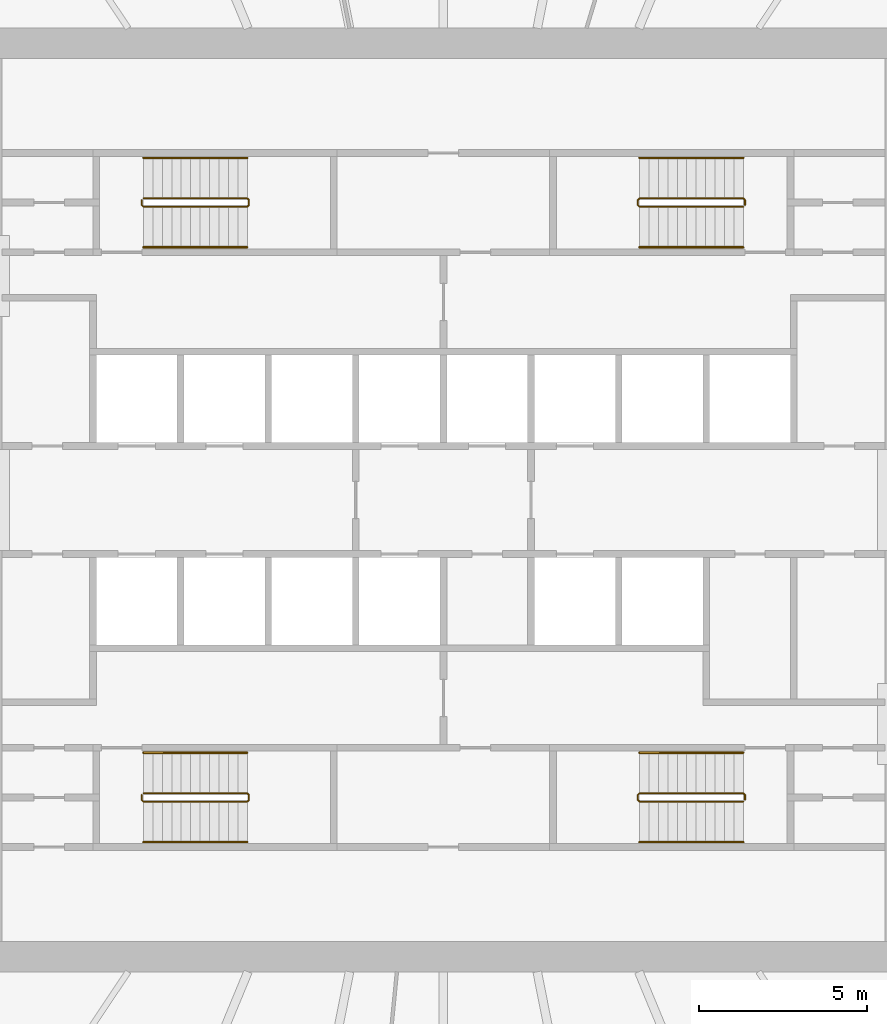
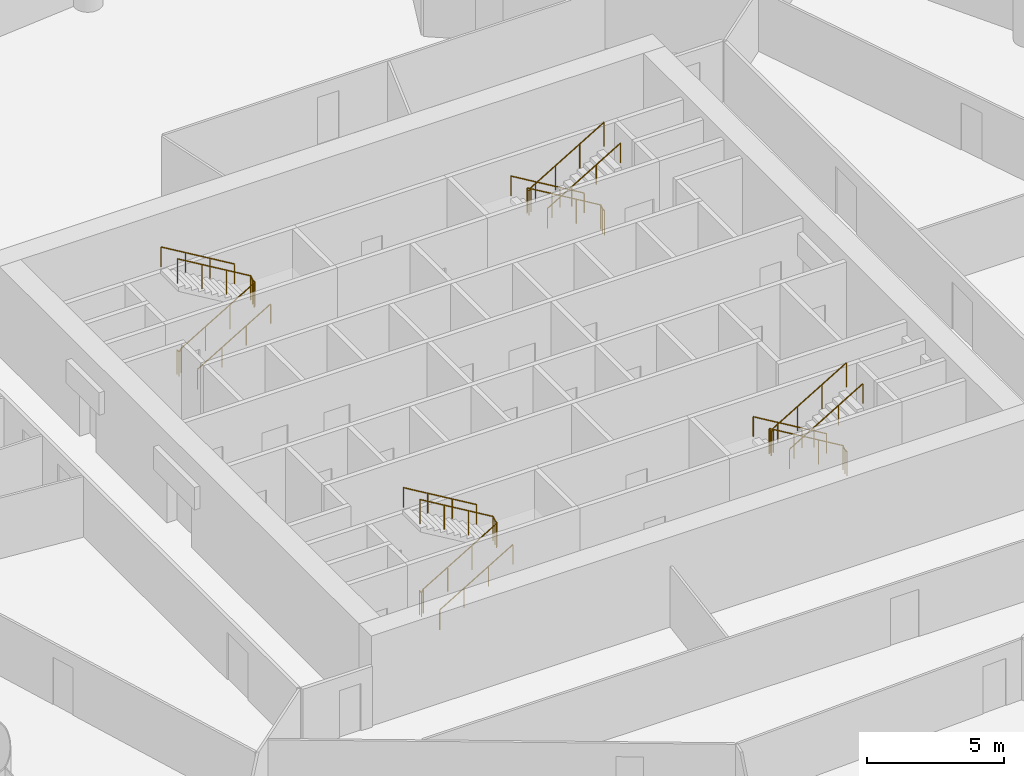
# One storey, part 9 of 9: 12 railings.
"""IFC4 building model written with IfcOpenShell, lengths in metres."""

from ifc_helpers import new_model, si_unit, direction, frame, origin, origin_2d, place, context, subcontext, project, spatial, circle, extrude, material, type_object, element, save


model = new_model("IFC4")

# Units and contexts
model_context = context("Model", 3, precision=1e-05, world=origin(), true_north=direction((0.0, 1.0)))
body_context = subcontext(model_context, "Body", "Model", "MODEL_VIEW")
ifc_project = project(units=[si_unit("LENGTHUNIT", "METRE"), si_unit("AREAUNIT", "SQUARE_METRE"), si_unit("VOLUMEUNIT", "CUBIC_METRE"), si_unit("PLANEANGLEUNIT", "RADIAN"), si_unit("MASSUNIT", "GRAM", prefix="KILO")], contexts=[model_context])

# Site, building, storey
site_placement = place(None, origin())
site = spatial("IfcSite", under=ifc_project, at=site_placement, CompositionType="ELEMENT")
building_placement = place(site_placement, origin())
building = spatial("IfcBuilding", under=site, at=building_placement, Name="Corvane Civic Tower", CompositionType="ELEMENT")
storey_placement = place(building_placement, frame((0.0, 0.0, 168.0)))
storey = spatial("IfcBuildingStorey", under=building, at=storey_placement, Name="L39", CompositionType="ELEMENT", Elevation=168.0)

# Railings
ifc_material_1 = material(Name="Steel ASTM A572 Gr 50", Category="steel")
railing_type_1 = type_object("IfcRailingType", Name="ST-GUARD-1100", PredefinedType="GUARDRAIL", material=ifc_material_1)
railing_1_placement = place(storey_placement, frame((8.949951171875, 8.75, 0.0)))
element("IfcRailing", 1, at=railing_1_placement, inside=storey, type_object=railing_type_1, Name="L39 ST1 stair guard 1", PredefinedType="GUARDRAIL", context=body_context, shape_type="SweptSolid", body=[
    extrude(circle(Radius=0.02392578125, at=origin_2d()), frame((0.0, 0.0, 1.076171875), z_axis=(0.0, 1.0, 0.0), x_axis=(-1.0, 0.0, 0.0)), (0.0, 0.0, 1.0), 0.14990234375),
    extrude(circle(Radius=0.02392578125, at=origin_2d()), frame((0.0, 0.14990234375, 1.076171875), z_axis=(-0.27628659633, 0.27628659633, 0.920506074601), x_axis=(-0.707106781187, -0.707106781187, 0.0)), (0.0, 0.0, 1.0), 0.18115234375),
    extrude(circle(Radius=0.02392578125, at=origin_2d()), frame((-0.050048828125, 0.199951171875, 1.24267578125), z_axis=(-0.859290745958, 0.0, 0.51148745235), x_axis=(0.0, -1.0, 0.0)), (0.0, 0.0, 1.0), 3.584228515625),
    extrude(circle(Radius=0.02392578125, at=origin_2d()), frame((-3.1298828125, 0.199951171875, 3.076171875), z_axis=(-0.707106781187, -0.707106781187, 0.0), x_axis=(0.707106781187, -0.707106781187, 0.0)), (0.0, 0.0, 1.0), 0.07080078125),
    extrude(circle(Radius=0.02392578125, at=origin_2d()), frame((-3.179931640625, 0.14990234375, 3.076171875), z_axis=(0.0, -1.0, 0.0), x_axis=(1.0, 0.0, 0.0)), (0.0, 0.0, 1.0), 0.14990234375),
    extrude(circle(Radius=0.02392578125, at=origin_2d()), frame((-3.179931640625, 0.0, 3.076171875), z_axis=(0.27628659633, -0.27628659633, 0.920506074601), x_axis=(0.707106781187, 0.707106781187, 0.0)), (0.0, 0.0, 1.0), 0.18115234375),
    extrude(circle(Radius=0.02392578125, at=origin_2d()), frame((-3.1298828125, -0.050048828125, 3.24267578125), z_axis=(0.859290745958, 0.0, 0.51148745235), x_axis=(0.0, 1.0, 0.0)), (0.0, 0.0, 1.0), 3.584228515625),
    extrude(circle(Radius=0.02099609375, at=origin_2d()), origin(), (0.0, 0.0, 1.0), 1.052001953125),
    extrude(circle(Radius=0.02099609375, at=origin_2d()), frame((0.0, 0.14990234375, 0.0)), (0.0, 0.0, 1.0), 1.052001953125),
    extrude(circle(Radius=0.02099609375, at=origin_2d()), frame((-0.050048828125, 0.199951171875, 0.166748046875)), (0.0, 0.0, 1.0), 1.052001953125),
    extrude(circle(Radius=0.02099609375, at=origin_2d()), frame((-1.07666015625, 0.199951171875, 0.77783203125)), (0.0, 0.0, 1.0), 1.052001953125),
    extrude(circle(Radius=0.02099609375, at=origin_2d()), frame((-2.103271484375, 0.199951171875, 1.388916015625)), (0.0, 0.0, 1.0), 1.052001953125),
    extrude(circle(Radius=0.02099609375, at=origin_2d()), frame((-3.1298828125, 0.199951171875, 2.0)), (0.0, 0.0, 1.0), 1.052001953125),
    extrude(circle(Radius=0.02099609375, at=origin_2d()), frame((-3.179931640625, 0.14990234375, 2.0)), (0.0, 0.0, 1.0), 1.052001953125),
    extrude(circle(Radius=0.02099609375, at=origin_2d()), frame((-3.179931640625, 0.0, 2.0)), (0.0, 0.0, 1.0), 1.052001953125),
    extrude(circle(Radius=0.02099609375, at=origin_2d()), frame((-3.1298828125, -0.050048828125, 2.166748046875)), (0.0, 0.0, 1.0), 1.052001953125),
    extrude(circle(Radius=0.02099609375, at=origin_2d()), frame((-2.103271484375, -0.050048828125, 2.77783203125)), (0.0, 0.0, 1.0), 1.052001953125),
    extrude(circle(Radius=0.02099609375, at=origin_2d()), frame((-1.07666015625, -0.050048828125, 3.388916015625)), (0.0, 0.0, 1.0), 1.052001953125),
    extrude(circle(Radius=0.02099609375, at=origin_2d()), frame((-0.050048828125, -0.050048828125, 4.0)), (0.0, 0.0, 1.0), 1.052001953125),
])
railing_2_placement = place(storey_placement, frame((8.949951171875, -8.89990234375, 0.0)))
element("IfcRailing", 2, at=railing_2_placement, inside=storey, type_object=railing_type_1, Name="L39 ST2 stair guard 1", PredefinedType="GUARDRAIL", context=body_context, shape_type="SweptSolid", body=[
    extrude(circle(Radius=0.02392578125, at=origin_2d()), frame((0.0, 0.0, 1.076171875), z_axis=(0.0, 1.0, 0.0), x_axis=(-1.0, 0.0, 0.0)), (0.0, 0.0, 1.0), 0.14990234375),
    extrude(circle(Radius=0.02392578125, at=origin_2d()), frame((0.0, 0.14990234375, 1.076171875), z_axis=(-0.27628659633, 0.27628659633, 0.920506074601), x_axis=(-0.707106781187, -0.707106781187, 0.0)), (0.0, 0.0, 1.0), 0.18115234375),
    extrude(circle(Radius=0.02392578125, at=origin_2d()), frame((-0.050048828125, 0.199951171875, 1.24267578125), z_axis=(-0.859290745958, 0.0, 0.51148745235), x_axis=(0.0, -1.0, 0.0)), (0.0, 0.0, 1.0), 3.584228515625),
    extrude(circle(Radius=0.02392578125, at=origin_2d()), frame((-3.1298828125, 0.199951171875, 3.076171875), z_axis=(-0.707106781187, -0.707106781187, 0.0), x_axis=(0.707106781187, -0.707106781187, 0.0)), (0.0, 0.0, 1.0), 0.07080078125),
    extrude(circle(Radius=0.02392578125, at=origin_2d()), frame((-3.179931640625, 0.14990234375, 3.076171875), z_axis=(0.0, -1.0, 0.0), x_axis=(1.0, 0.0, 0.0)), (0.0, 0.0, 1.0), 0.14990234375),
    extrude(circle(Radius=0.02392578125, at=origin_2d()), frame((-3.179931640625, 0.0, 3.076171875), z_axis=(0.27628659633, -0.27628659633, 0.920506074601), x_axis=(0.707106781187, 0.707106781187, 0.0)), (0.0, 0.0, 1.0), 0.18115234375),
    extrude(circle(Radius=0.02392578125, at=origin_2d()), frame((-3.1298828125, -0.050048828125, 3.24267578125), z_axis=(0.859290745958, 0.0, 0.51148745235), x_axis=(0.0, 1.0, 0.0)), (0.0, 0.0, 1.0), 3.584228515625),
    extrude(circle(Radius=0.02099609375, at=origin_2d()), origin(), (0.0, 0.0, 1.0), 1.052001953125),
    extrude(circle(Radius=0.02099609375, at=origin_2d()), frame((0.0, 0.14990234375, 0.0)), (0.0, 0.0, 1.0), 1.052001953125),
    extrude(circle(Radius=0.02099609375, at=origin_2d()), frame((-0.050048828125, 0.199951171875, 0.166748046875)), (0.0, 0.0, 1.0), 1.052001953125),
    extrude(circle(Radius=0.02099609375, at=origin_2d()), frame((-1.07666015625, 0.199951171875, 0.77783203125)), (0.0, 0.0, 1.0), 1.052001953125),
    extrude(circle(Radius=0.02099609375, at=origin_2d()), frame((-2.103271484375, 0.199951171875, 1.388916015625)), (0.0, 0.0, 1.0), 1.052001953125),
    extrude(circle(Radius=0.02099609375, at=origin_2d()), frame((-3.1298828125, 0.199951171875, 2.0)), (0.0, 0.0, 1.0), 1.052001953125),
    extrude(circle(Radius=0.02099609375, at=origin_2d()), frame((-3.179931640625, 0.14990234375, 2.0)), (0.0, 0.0, 1.0), 1.052001953125),
    extrude(circle(Radius=0.02099609375, at=origin_2d()), frame((-3.179931640625, 0.0, 2.0)), (0.0, 0.0, 1.0), 1.052001953125),
    extrude(circle(Radius=0.02099609375, at=origin_2d()), frame((-3.1298828125, -0.050048828125, 2.166748046875)), (0.0, 0.0, 1.0), 1.052001953125),
    extrude(circle(Radius=0.02099609375, at=origin_2d()), frame((-2.103271484375, -0.050048828125, 2.77783203125)), (0.0, 0.0, 1.0), 1.052001953125),
    extrude(circle(Radius=0.02099609375, at=origin_2d()), frame((-1.07666015625, -0.050048828125, 3.388916015625)), (0.0, 0.0, 1.0), 1.052001953125),
    extrude(circle(Radius=0.02099609375, at=origin_2d()), frame((-0.050048828125, -0.050048828125, 4.0)), (0.0, 0.0, 1.0), 1.052001953125),
])
railing_3_placement = place(storey_placement, frame((-8.949951171875, -8.75, 0.0)))
element("IfcRailing", 3, at=railing_3_placement, inside=storey, type_object=railing_type_1, Name="L39 ST3 stair guard 1", PredefinedType="GUARDRAIL", context=body_context, shape_type="SweptSolid", body=[
    extrude(circle(Radius=0.02392578125, at=origin_2d()), frame((0.0, 0.0, 1.076171875), z_axis=(0.0, -1.0, 0.0), x_axis=(1.0, 0.0, 0.0)), (0.0, 0.0, 1.0), 0.14990234375),
    extrude(circle(Radius=0.02392578125, at=origin_2d()), frame((0.0, -0.14990234375, 1.076171875), z_axis=(0.27628659633, -0.27628659633, 0.920506074601), x_axis=(0.707106781187, 0.707106781187, 0.0)), (0.0, 0.0, 1.0), 0.18115234375),
    extrude(circle(Radius=0.02392578125, at=origin_2d()), frame((0.050048828125, -0.199951171875, 1.24267578125), z_axis=(0.859290745958, 0.0, 0.51148745235), x_axis=(0.0, 1.0, 0.0)), (0.0, 0.0, 1.0), 3.584228515625),
    extrude(circle(Radius=0.02392578125, at=origin_2d()), frame((3.1298828125, -0.199951171875, 3.076171875), z_axis=(0.707106781187, 0.707106781187, 0.0), x_axis=(-0.707106781187, 0.707106781187, 0.0)), (0.0, 0.0, 1.0), 0.07080078125),
    extrude(circle(Radius=0.02392578125, at=origin_2d()), frame((3.179931640625, -0.14990234375, 3.076171875), z_axis=(0.0, 1.0, 0.0), x_axis=(-1.0, 0.0, 0.0)), (0.0, 0.0, 1.0), 0.14990234375),
    extrude(circle(Radius=0.02392578125, at=origin_2d()), frame((3.179931640625, 0.0, 3.076171875), z_axis=(-0.27628659633, 0.27628659633, 0.920506074601), x_axis=(-0.707106781187, -0.707106781187, 0.0)), (0.0, 0.0, 1.0), 0.18115234375),
    extrude(circle(Radius=0.02392578125, at=origin_2d()), frame((3.1298828125, 0.050048828125, 3.24267578125), z_axis=(-0.859290745958, 0.0, 0.51148745235), x_axis=(0.0, -1.0, 0.0)), (0.0, 0.0, 1.0), 3.584228515625),
    extrude(circle(Radius=0.02099609375, at=origin_2d()), origin(), (0.0, 0.0, 1.0), 1.052001953125),
    extrude(circle(Radius=0.02099609375, at=origin_2d()), frame((0.0, -0.14990234375, 0.0)), (0.0, 0.0, 1.0), 1.052001953125),
    extrude(circle(Radius=0.02099609375, at=origin_2d()), frame((0.050048828125, -0.199951171875, 0.166748046875)), (0.0, 0.0, 1.0), 1.052001953125),
    extrude(circle(Radius=0.02099609375, at=origin_2d()), frame((1.07666015625, -0.199951171875, 0.77783203125)), (0.0, 0.0, 1.0), 1.052001953125),
    extrude(circle(Radius=0.02099609375, at=origin_2d()), frame((2.103271484375, -0.199951171875, 1.388916015625)), (0.0, 0.0, 1.0), 1.052001953125),
    extrude(circle(Radius=0.02099609375, at=origin_2d()), frame((3.1298828125, -0.199951171875, 2.0)), (0.0, 0.0, 1.0), 1.052001953125),
    extrude(circle(Radius=0.02099609375, at=origin_2d()), frame((3.179931640625, -0.14990234375, 2.0)), (0.0, 0.0, 1.0), 1.052001953125),
    extrude(circle(Radius=0.02099609375, at=origin_2d()), frame((3.179931640625, 0.0, 2.0)), (0.0, 0.0, 1.0), 1.052001953125),
    extrude(circle(Radius=0.02099609375, at=origin_2d()), frame((3.1298828125, 0.050048828125, 2.166748046875)), (0.0, 0.0, 1.0), 1.052001953125),
    extrude(circle(Radius=0.02099609375, at=origin_2d()), frame((2.103271484375, 0.050048828125, 2.77783203125)), (0.0, 0.0, 1.0), 1.052001953125),
    extrude(circle(Radius=0.02099609375, at=origin_2d()), frame((1.07666015625, 0.050048828125, 3.388916015625)), (0.0, 0.0, 1.0), 1.052001953125),
    extrude(circle(Radius=0.02099609375, at=origin_2d()), frame((0.050048828125, 0.050048828125, 4.0)), (0.0, 0.0, 1.0), 1.052001953125),
])
railing_4_placement = place(storey_placement, frame((-8.949951171875, 8.89990234375, 0.0)))
element("IfcRailing", 4, at=railing_4_placement, inside=storey, type_object=railing_type_1, Name="L39 ST4 stair guard 1", PredefinedType="GUARDRAIL", context=body_context, shape_type="SweptSolid", body=[
    extrude(circle(Radius=0.02392578125, at=origin_2d()), frame((0.0, 0.0, 1.076171875), z_axis=(0.0, -1.0, 0.0), x_axis=(1.0, 0.0, 0.0)), (0.0, 0.0, 1.0), 0.14990234375),
    extrude(circle(Radius=0.02392578125, at=origin_2d()), frame((0.0, -0.14990234375, 1.076171875), z_axis=(0.27628659633, -0.27628659633, 0.920506074601), x_axis=(0.707106781187, 0.707106781187, 0.0)), (0.0, 0.0, 1.0), 0.18115234375),
    extrude(circle(Radius=0.02392578125, at=origin_2d()), frame((0.050048828125, -0.199951171875, 1.24267578125), z_axis=(0.859290745958, 0.0, 0.51148745235), x_axis=(0.0, 1.0, 0.0)), (0.0, 0.0, 1.0), 3.584228515625),
    extrude(circle(Radius=0.02392578125, at=origin_2d()), frame((3.1298828125, -0.199951171875, 3.076171875), z_axis=(0.707106781187, 0.707106781187, 0.0), x_axis=(-0.707106781187, 0.707106781187, 0.0)), (0.0, 0.0, 1.0), 0.07080078125),
    extrude(circle(Radius=0.02392578125, at=origin_2d()), frame((3.179931640625, -0.14990234375, 3.076171875), z_axis=(0.0, 1.0, 0.0), x_axis=(-1.0, 0.0, 0.0)), (0.0, 0.0, 1.0), 0.14990234375),
    extrude(circle(Radius=0.02392578125, at=origin_2d()), frame((3.179931640625, 0.0, 3.076171875), z_axis=(-0.27628659633, 0.27628659633, 0.920506074601), x_axis=(-0.707106781187, -0.707106781187, 0.0)), (0.0, 0.0, 1.0), 0.18115234375),
    extrude(circle(Radius=0.02392578125, at=origin_2d()), frame((3.1298828125, 0.050048828125, 3.24267578125), z_axis=(-0.859290745958, 0.0, 0.51148745235), x_axis=(0.0, -1.0, 0.0)), (0.0, 0.0, 1.0), 3.584228515625),
    extrude(circle(Radius=0.02099609375, at=origin_2d()), origin(), (0.0, 0.0, 1.0), 1.052001953125),
    extrude(circle(Radius=0.02099609375, at=origin_2d()), frame((0.0, -0.14990234375, 0.0)), (0.0, 0.0, 1.0), 1.052001953125),
    extrude(circle(Radius=0.02099609375, at=origin_2d()), frame((0.050048828125, -0.199951171875, 0.166748046875)), (0.0, 0.0, 1.0), 1.052001953125),
    extrude(circle(Radius=0.02099609375, at=origin_2d()), frame((1.07666015625, -0.199951171875, 0.77783203125)), (0.0, 0.0, 1.0), 1.052001953125),
    extrude(circle(Radius=0.02099609375, at=origin_2d()), frame((2.103271484375, -0.199951171875, 1.388916015625)), (0.0, 0.0, 1.0), 1.052001953125),
    extrude(circle(Radius=0.02099609375, at=origin_2d()), frame((3.1298828125, -0.199951171875, 2.0)), (0.0, 0.0, 1.0), 1.052001953125),
    extrude(circle(Radius=0.02099609375, at=origin_2d()), frame((3.179931640625, -0.14990234375, 2.0)), (0.0, 0.0, 1.0), 1.052001953125),
    extrude(circle(Radius=0.02099609375, at=origin_2d()), frame((3.179931640625, 0.0, 2.0)), (0.0, 0.0, 1.0), 1.052001953125),
    extrude(circle(Radius=0.02099609375, at=origin_2d()), frame((3.1298828125, 0.050048828125, 2.166748046875)), (0.0, 0.0, 1.0), 1.052001953125),
    extrude(circle(Radius=0.02099609375, at=origin_2d()), frame((2.103271484375, 0.050048828125, 2.77783203125)), (0.0, 0.0, 1.0), 1.052001953125),
    extrude(circle(Radius=0.02099609375, at=origin_2d()), frame((1.07666015625, 0.050048828125, 3.388916015625)), (0.0, 0.0, 1.0), 1.052001953125),
    extrude(circle(Radius=0.02099609375, at=origin_2d()), frame((0.050048828125, 0.050048828125, 4.0)), (0.0, 0.0, 1.0), 1.052001953125),
])
ifc_material_2 = material(Name="Steel ASTM A572 Gr 50", Category="steel")
railing_type_2 = type_object("IfcRailingType", Name="ST-HANDRAIL-900", PredefinedType="HANDRAIL", material=ifc_material_2)
railing_5_placement = place(storey_placement, frame((8.89990234375, 10.14990234375, 0.166748046875)))
element("IfcRailing", 5, at=railing_5_placement, inside=storey, type_object=railing_type_2, Name="L39 ST1 stair handrail 1", PredefinedType="HANDRAIL", context=body_context, shape_type="SweptSolid", body=[
    extrude(circle(Radius=0.02392578125, at=origin_2d()), frame((0.0, 0.0, 0.8759765625), z_axis=(-0.859290745958, 0.0, 0.51148745235), x_axis=(0.0, -1.0, 0.0)), (0.0, 0.0, 1.0), 3.584228515625),
    extrude(circle(Radius=0.02099609375, at=origin_2d()), origin(), (0.0, 0.0, 1.0), 0.851806640625),
    extrude(circle(Radius=0.02099609375, at=origin_2d()), frame((-1.026611328125, 0.0, 0.611083984375)), (0.0, 0.0, 1.0), 0.851806640625),
    extrude(circle(Radius=0.02099609375, at=origin_2d()), frame((-2.05322265625, 0.0, 1.22216796875)), (0.0, 0.0, 1.0), 0.851806640625),
    extrude(circle(Radius=0.02099609375, at=origin_2d()), frame((-3.079833984375, 0.0, 1.833251953125)), (0.0, 0.0, 1.0), 0.851806640625),
])
railing_6_placement = place(storey_placement, frame((5.820068359375, 7.5, 2.166748046875)))
element("IfcRailing", 6, at=railing_6_placement, inside=storey, type_object=railing_type_2, Name="L39 ST1 stair handrail 2", PredefinedType="HANDRAIL", context=body_context, shape_type="SweptSolid", body=[
    extrude(circle(Radius=0.02392578125, at=origin_2d()), frame((0.0, 0.0, 0.8759765625), z_axis=(0.859290745958, 0.0, 0.51148745235), x_axis=(0.0, 1.0, 0.0)), (0.0, 0.0, 1.0), 3.584228515625),
    extrude(circle(Radius=0.02099609375, at=origin_2d()), origin(), (0.0, 0.0, 1.0), 0.851806640625),
    extrude(circle(Radius=0.02099609375, at=origin_2d()), frame((1.026611328125, 0.0, 0.611083984375)), (0.0, 0.0, 1.0), 0.851806640625),
    extrude(circle(Radius=0.02099609375, at=origin_2d()), frame((2.05322265625, 0.0, 1.22216796875)), (0.0, 0.0, 1.0), 0.851806640625),
    extrude(circle(Radius=0.02099609375, at=origin_2d()), frame((3.079833984375, 0.0, 1.833251953125)), (0.0, 0.0, 1.0), 0.851806640625),
])
railing_7_placement = place(storey_placement, frame((8.89990234375, -7.5, 0.166748046875)))
element("IfcRailing", 7, at=railing_7_placement, inside=storey, type_object=railing_type_2, Name="L39 ST2 stair handrail 1", PredefinedType="HANDRAIL", context=body_context, shape_type="SweptSolid", body=[
    extrude(circle(Radius=0.02392578125, at=origin_2d()), frame((0.0, 0.0, 0.8759765625), z_axis=(-0.859290745958, 0.0, 0.51148745235), x_axis=(0.0, -1.0, 0.0)), (0.0, 0.0, 1.0), 3.584228515625),
    extrude(circle(Radius=0.02099609375, at=origin_2d()), origin(), (0.0, 0.0, 1.0), 0.851806640625),
    extrude(circle(Radius=0.02099609375, at=origin_2d()), frame((-1.026611328125, 0.0, 0.611083984375)), (0.0, 0.0, 1.0), 0.851806640625),
    extrude(circle(Radius=0.02099609375, at=origin_2d()), frame((-2.05322265625, 0.0, 1.22216796875)), (0.0, 0.0, 1.0), 0.851806640625),
    extrude(circle(Radius=0.02099609375, at=origin_2d()), frame((-3.079833984375, 0.0, 1.833251953125)), (0.0, 0.0, 1.0), 0.851806640625),
])
for number, where, name in (
    (8, (5.820068359375, -10.14990234375, 2.166748046875), "L39 ST2 stair handrail 2"),
    (9, (-8.89990234375, -10.14990234375, 0.166748046875), "L39 ST3 stair handrail 1"),
):
    element("IfcRailing", number, at=place(storey_placement, frame(where)), inside=storey, type_object=railing_type_2, Name=name, PredefinedType="HANDRAIL", context=body_context, shape_type="SweptSolid", body=[
        extrude(circle(Radius=0.02392578125, at=origin_2d()), frame((0.0, 0.0, 0.8759765625), z_axis=(0.859290745958, 0.0, 0.51148745235), x_axis=(0.0, 1.0, 0.0)), (0.0, 0.0, 1.0), 3.584228515625),
        extrude(circle(Radius=0.02099609375, at=origin_2d()), origin(), (0.0, 0.0, 1.0), 0.851806640625),
        extrude(circle(Radius=0.02099609375, at=origin_2d()), frame((1.026611328125, 0.0, 0.611083984375)), (0.0, 0.0, 1.0), 0.851806640625),
        extrude(circle(Radius=0.02099609375, at=origin_2d()), frame((2.05322265625, 0.0, 1.22216796875)), (0.0, 0.0, 1.0), 0.851806640625),
        extrude(circle(Radius=0.02099609375, at=origin_2d()), frame((3.079833984375, 0.0, 1.833251953125)), (0.0, 0.0, 1.0), 0.851806640625),
    ])
railing_8_placement = place(storey_placement, frame((-5.820068359375, -7.5, 2.166748046875)))
element("IfcRailing", 10, at=railing_8_placement, inside=storey, type_object=railing_type_2, Name="L39 ST3 stair handrail 2", PredefinedType="HANDRAIL", context=body_context, shape_type="SweptSolid", body=[
    extrude(circle(Radius=0.02392578125, at=origin_2d()), frame((0.0, 0.0, 0.8759765625), z_axis=(-0.859290745958, 0.0, 0.51148745235), x_axis=(0.0, -1.0, 0.0)), (0.0, 0.0, 1.0), 3.584228515625),
    extrude(circle(Radius=0.02099609375, at=origin_2d()), origin(), (0.0, 0.0, 1.0), 0.851806640625),
    extrude(circle(Radius=0.02099609375, at=origin_2d()), frame((-1.026611328125, 0.0, 0.611083984375)), (0.0, 0.0, 1.0), 0.851806640625),
    extrude(circle(Radius=0.02099609375, at=origin_2d()), frame((-2.05322265625, 0.0, 1.22216796875)), (0.0, 0.0, 1.0), 0.851806640625),
    extrude(circle(Radius=0.02099609375, at=origin_2d()), frame((-3.079833984375, 0.0, 1.833251953125)), (0.0, 0.0, 1.0), 0.851806640625),
])
railing_9_placement = place(storey_placement, frame((-8.89990234375, 7.5, 0.166748046875)))
element("IfcRailing", 11, at=railing_9_placement, inside=storey, type_object=railing_type_2, Name="L39 ST4 stair handrail 1", PredefinedType="HANDRAIL", context=body_context, shape_type="SweptSolid", body=[
    extrude(circle(Radius=0.02392578125, at=origin_2d()), frame((0.0, 0.0, 0.8759765625), z_axis=(0.859290745958, 0.0, 0.51148745235), x_axis=(0.0, 1.0, 0.0)), (0.0, 0.0, 1.0), 3.584228515625),
    extrude(circle(Radius=0.02099609375, at=origin_2d()), origin(), (0.0, 0.0, 1.0), 0.851806640625),
    extrude(circle(Radius=0.02099609375, at=origin_2d()), frame((1.026611328125, 0.0, 0.611083984375)), (0.0, 0.0, 1.0), 0.851806640625),
    extrude(circle(Radius=0.02099609375, at=origin_2d()), frame((2.05322265625, 0.0, 1.22216796875)), (0.0, 0.0, 1.0), 0.851806640625),
    extrude(circle(Radius=0.02099609375, at=origin_2d()), frame((3.079833984375, 0.0, 1.833251953125)), (0.0, 0.0, 1.0), 0.851806640625),
])
railing_10_placement = place(storey_placement, frame((-5.820068359375, 10.14990234375, 2.166748046875)))
element("IfcRailing", 12, at=railing_10_placement, inside=storey, type_object=railing_type_2, Name="L39 ST4 stair handrail 2", PredefinedType="HANDRAIL", context=body_context, shape_type="SweptSolid", body=[
    extrude(circle(Radius=0.02392578125, at=origin_2d()), frame((0.0, 0.0, 0.8759765625), z_axis=(-0.859290745958, 0.0, 0.51148745235), x_axis=(0.0, -1.0, 0.0)), (0.0, 0.0, 1.0), 3.584228515625),
    extrude(circle(Radius=0.02099609375, at=origin_2d()), origin(), (0.0, 0.0, 1.0), 0.851806640625),
    extrude(circle(Radius=0.02099609375, at=origin_2d()), frame((-1.026611328125, 0.0, 0.611083984375)), (0.0, 0.0, 1.0), 0.851806640625),
    extrude(circle(Radius=0.02099609375, at=origin_2d()), frame((-2.05322265625, 0.0, 1.22216796875)), (0.0, 0.0, 1.0), 0.851806640625),
    extrude(circle(Radius=0.02099609375, at=origin_2d()), frame((-3.079833984375, 0.0, 1.833251953125)), (0.0, 0.0, 1.0), 0.851806640625),
])

save(model, "model.ifc")
